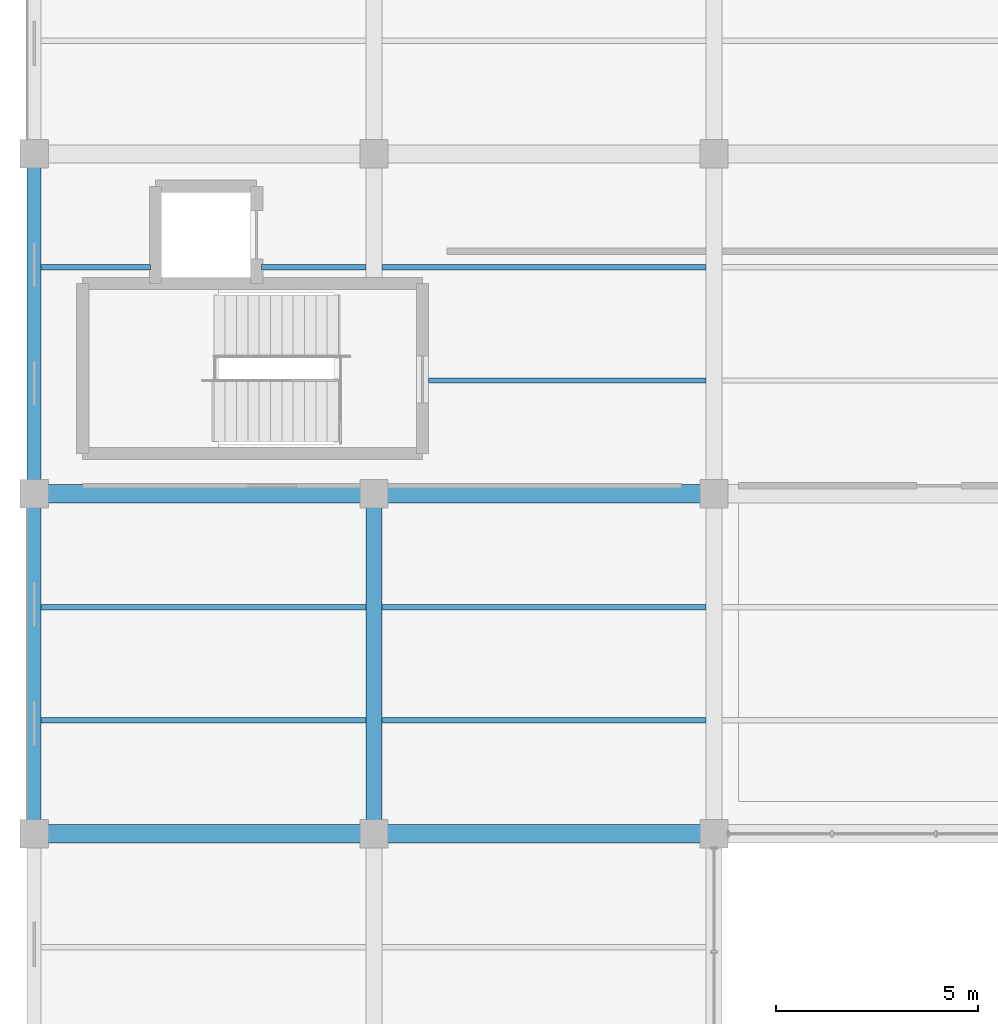
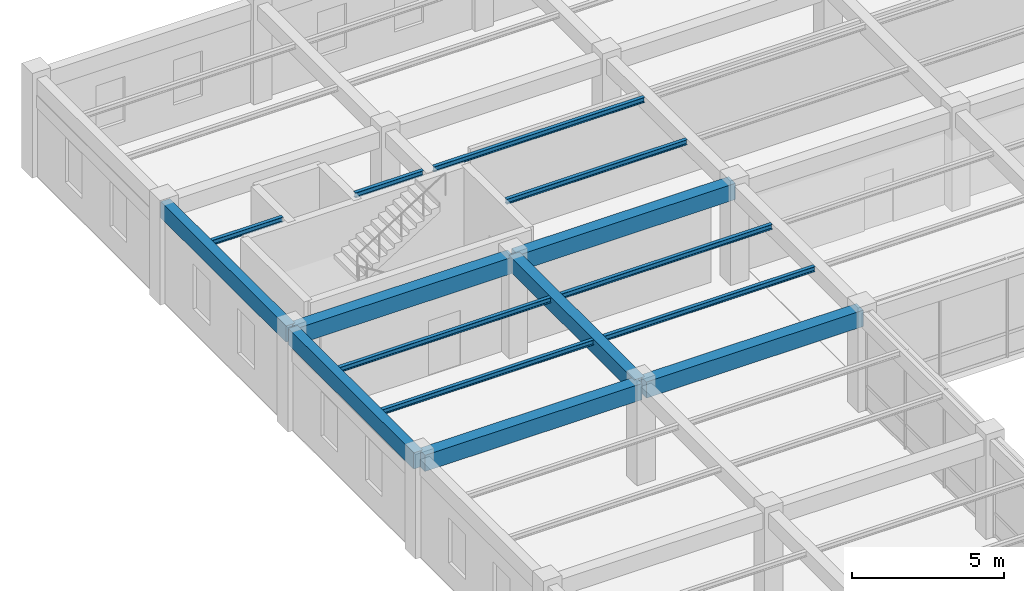
# One storey, part 12 of 152: 15 beams.
"""IFC4 building model written with IfcOpenShell, lengths in metres."""

from ifc_helpers import new_model, si_unit, direction, frame, origin, origin_2d, place, context, subcontext, project, spatial, rectangle, i_section, extrude, material, material_profile, profile_set, type_object, element, save


model = new_model("IFC4")

# Units and contexts
model_context = context("Model", 3, precision=1e-05, world=origin(), true_north=direction((0.0, 1.0)))
body_context = subcontext(model_context, "Body", "Model", "MODEL_VIEW")
ifc_project = project(units=[si_unit("LENGTHUNIT", "METRE"), si_unit("AREAUNIT", "SQUARE_METRE"), si_unit("VOLUMEUNIT", "CUBIC_METRE"), si_unit("PLANEANGLEUNIT", "RADIAN"), si_unit("MASSUNIT", "GRAM", prefix="KILO"), si_unit("THERMODYNAMICTEMPERATUREUNIT", "KELVIN"), si_unit("POWERUNIT", "WATT")], contexts=[model_context])

# Site, building, storey
site_placement = place(None, origin())
site = spatial("IfcSite", under=ifc_project, at=site_placement, CompositionType="ELEMENT")
building_placement = place(site_placement, origin())
building = spatial("IfcBuilding", under=site, at=building_placement, Name="Darbajah Civic Hall", CompositionType="ELEMENT")
storey_placement = place(building_placement, frame((0.0, 0.0, 5.39990234375)))
storey = spatial("IfcBuildingStorey", under=building, at=storey_placement, Name="L01", CompositionType="ELEMENT", Elevation=5.39990234375)

# Beams
ifc_material_1 = material(Name="Concrete C45/55", Category="concrete")
ifc_material_profile_1 = material_profile(ifc_material_1, rectangle(XDim=0.39990234375, YDim=0.60009765625, at=origin_2d()), Name="RC BEAM 400x600")
ifc_profile_set_1 = profile_set([ifc_material_profile_1], Name="Concrete C45/55")
beam_type_1 = type_object("IfcBeamType", Name="RC BEAM 400x600", PredefinedType="BEAM", material=ifc_profile_set_1)
beam_1_placement = place(storey_placement, frame((8.39990234375, 16.8798828125, 3.64013671875), z_axis=(0.0, 1.0, 0.0), x_axis=(-1.0, 0.0, 0.0)))
element("IfcBeam", 1, at=beam_1_placement, inside=storey, type_object=beam_type_1, Name="L01 beam BM-4060", PredefinedType="BEAM", context=body_context, shape_type="SweptSolid", body=[
    extrude(rectangle(XDim=0.39990234375, YDim=0.60009765625, at=origin_2d()), origin(), (0.0, 0.0, 1.0), 8.240234375),
])
ifc_material_profile_2 = material_profile(ifc_material_1, rectangle(XDim=0.449951171875, YDim=0.64990234375, at=origin_2d()), Name="RC BEAM 450x650")
ifc_profile_set_2 = profile_set([ifc_material_profile_2], Name="Concrete C45/55")
beam_type_2 = type_object("IfcBeamType", Name="RC BEAM 450x650", PredefinedType="BEAM", material=ifc_profile_set_2)
for number, where, z_axis, x_axis, name in (
    (2, (0.080078125, 16.800048828125, 3.614990234375), (1.0, 0.0, 0.0), (0.0, 1.0, 0.0), "L01 beam BM-4565"),
    (3, (8.47998046875, 16.800048828125, 3.614990234375), (1.0, 0.0, 0.0), (0.0, 1.0, 0.0), "L01 beam BM-4565"),
    (4, (0.080078125, 25.199951171875, 3.614990234375), (1.0, 0.0, 0.0), (0.0, 1.0, 0.0), "L01 beam BM-4565"),
    (5, (8.47998046875, 25.199951171875, 3.614990234375), (1.0, 0.0, 0.0), (0.0, 1.0, 0.0), "L01 beam BM-4565"),
):
    element("IfcBeam", number, at=place(storey_placement, frame(where, z_axis=z_axis, x_axis=x_axis)), inside=storey, type_object=beam_type_2, Name=name, PredefinedType="BEAM", context=body_context, shape_type="SweptSolid", body=[
        extrude(rectangle(XDim=0.449951171875, YDim=0.64990234375, at=origin_2d()), origin(), (0.0, 0.0, 1.0), 8.239990234375),
    ])
ifc_material_profile_3 = material_profile(ifc_material_1, rectangle(XDim=0.35009765625, YDim=0.64990234375, at=origin_2d()), Name="RC SPANDREL 350x650")
ifc_profile_set_3 = profile_set([ifc_material_profile_3], Name="Concrete C45/55")
beam_type_3 = type_object("IfcBeamType", Name="RC SPANDREL 350x650", PredefinedType="SPANDREL", material=ifc_profile_set_3)
beam_2_placement = place(storey_placement, frame((0.0, 16.8798828125, 3.614990234375), z_axis=(0.0, 1.0, 0.0), x_axis=(-1.0, 0.0, 0.0)))
element("IfcBeam", 6, at=beam_2_placement, inside=storey, type_object=beam_type_3, Name="L01 beam SP-3565", PredefinedType="SPANDREL", context=body_context, shape_type="SweptSolid", body=[
    extrude(rectangle(XDim=0.35009765625, YDim=0.64990234375, at=origin_2d()), origin(), (0.0, 0.0, 1.0), 8.240234375),
])
beam_3_placement = place(storey_placement, frame((0.0, 25.280029296875, 3.614990234375), z_axis=(0.0, 1.0, 0.0), x_axis=(-1.0, 0.0, 0.0)))
element("IfcBeam", 7, at=beam_3_placement, inside=storey, type_object=beam_type_3, Name="L01 beam SP-3565", PredefinedType="SPANDREL", context=body_context, shape_type="SweptSolid", body=[
    extrude(rectangle(XDim=0.35009765625, YDim=0.64990234375, at=origin_2d()), origin(), (0.0, 0.0, 1.0), 8.239990234375),
])
ifc_material_2 = material(Name="Steel S355JR", Category="steel")
ifc_material_profile_4 = material_profile(ifc_material_2, i_section(OverallWidth=0.1337890625, OverallDepth=0.206787109375, WebThickness=0.00634765625, FlangeThickness=0.009521484375, FilletRadius=0.007568359375, at=origin_2d()), Name="UB 203x133x30")
ifc_profile_set_4 = profile_set([ifc_material_profile_4], Name="Steel S355JR")
beam_type_4 = type_object("IfcBeamType", Name="UB 203x133x30", PredefinedType="JOIST", material=ifc_profile_set_4)
for number, where, z_axis, x_axis, name in (
    (8, (0.175048828125, 19.60009765625, 3.836669921875), (1.0, 0.0, 0.0), (0.0, 1.0, 0.0), "L01 beam SJ-203"),
    (9, (0.175048828125, 22.39990234375, 3.836669921875), (1.0, 0.0, 0.0), (0.0, 1.0, 0.0), "L01 beam SJ-203"),
):
    element("IfcBeam", number, at=place(storey_placement, frame(where, z_axis=z_axis, x_axis=x_axis)), inside=storey, type_object=beam_type_4, Name=name, PredefinedType="JOIST", context=body_context, shape_type="SweptSolid", body=[
        extrude(i_section(OverallWidth=0.1337890625, OverallDepth=0.206787109375, WebThickness=0.00634765625, FlangeThickness=0.009521484375, FilletRadius=0.007568359375, at=origin_2d()), origin(), (0.0, 0.0, 1.0), 8.02490234375),
    ])
beam_4_placement = place(storey_placement, frame((0.175048828125, 30.800048828125, 3.836669921875), z_axis=(1.0, 0.0, 0.0), x_axis=(0.0, 1.0, 0.0)))
element("IfcBeam", 10, at=beam_4_placement, inside=storey, type_object=beam_type_4, Name="L01 beam SJ-203", PredefinedType="JOIST", context=body_context, shape_type="SweptSolid", body=[
    extrude(i_section(OverallWidth=0.1337890625, OverallDepth=0.206787109375, WebThickness=0.00634765625, FlangeThickness=0.009521484375, FilletRadius=0.007568359375, at=origin_2d()), origin(), (0.0, 0.0, 1.0), 2.704833984375),
])
beam_5_placement = place(storey_placement, frame((5.6201171875, 30.800048828125, 3.836669921875), z_axis=(1.0, 0.0, 0.0), x_axis=(0.0, 1.0, 0.0)))
element("IfcBeam", 11, at=beam_5_placement, inside=storey, type_object=beam_type_4, Name="L01 beam SJ-203", PredefinedType="JOIST", context=body_context, shape_type="SweptSolid", body=[
    extrude(i_section(OverallWidth=0.1337890625, OverallDepth=0.206787109375, WebThickness=0.00634765625, FlangeThickness=0.009521484375, FilletRadius=0.007568359375, at=origin_2d()), origin(), (0.0, 0.0, 1.0), 2.579833984375),
])
for number, where, z_axis, x_axis, name in (
    (12, (8.60009765625, 19.60009765625, 3.836669921875), (1.0, 0.0, 0.0), (0.0, 1.0, 0.0), "L01 beam SJ-203"),
    (13, (8.60009765625, 22.39990234375, 3.836669921875), (1.0, 0.0, 0.0), (0.0, 1.0, 0.0), "L01 beam SJ-203"),
):
    element("IfcBeam", number, at=place(storey_placement, frame(where, z_axis=z_axis, x_axis=x_axis)), inside=storey, type_object=beam_type_4, Name=name, PredefinedType="JOIST", context=body_context, shape_type="SweptSolid", body=[
        extrude(i_section(OverallWidth=0.1337890625, OverallDepth=0.206787109375, WebThickness=0.00634765625, FlangeThickness=0.009521484375, FilletRadius=0.007568359375, at=origin_2d()), origin(), (0.0, 0.0, 1.0), 8.0),
    ])
beam_6_placement = place(storey_placement, frame((9.739990234375, 28.0, 3.836669921875), z_axis=(1.0, 0.0, 0.0), x_axis=(0.0, 1.0, 0.0)))
element("IfcBeam", 14, at=beam_6_placement, inside=storey, type_object=beam_type_4, Name="L01 beam SJ-203", PredefinedType="JOIST", context=body_context, shape_type="SweptSolid", body=[
    extrude(i_section(OverallWidth=0.1337890625, OverallDepth=0.206787109375, WebThickness=0.00634765625, FlangeThickness=0.009521484375, FilletRadius=0.007568359375, at=origin_2d()), origin(), (0.0, 0.0, 1.0), 6.860107421875),
])
beam_7_placement = place(storey_placement, frame((8.60009765625, 30.800048828125, 3.836669921875), z_axis=(1.0, 0.0, 0.0), x_axis=(0.0, 1.0, 0.0)))
element("IfcBeam", 15, at=beam_7_placement, inside=storey, type_object=beam_type_4, Name="L01 beam SJ-203", PredefinedType="JOIST", context=body_context, shape_type="SweptSolid", body=[
    extrude(i_section(OverallWidth=0.1337890625, OverallDepth=0.206787109375, WebThickness=0.00634765625, FlangeThickness=0.009521484375, FilletRadius=0.007568359375, at=origin_2d()), origin(), (0.0, 0.0, 1.0), 8.0),
])

save(model, "model.ifc")
